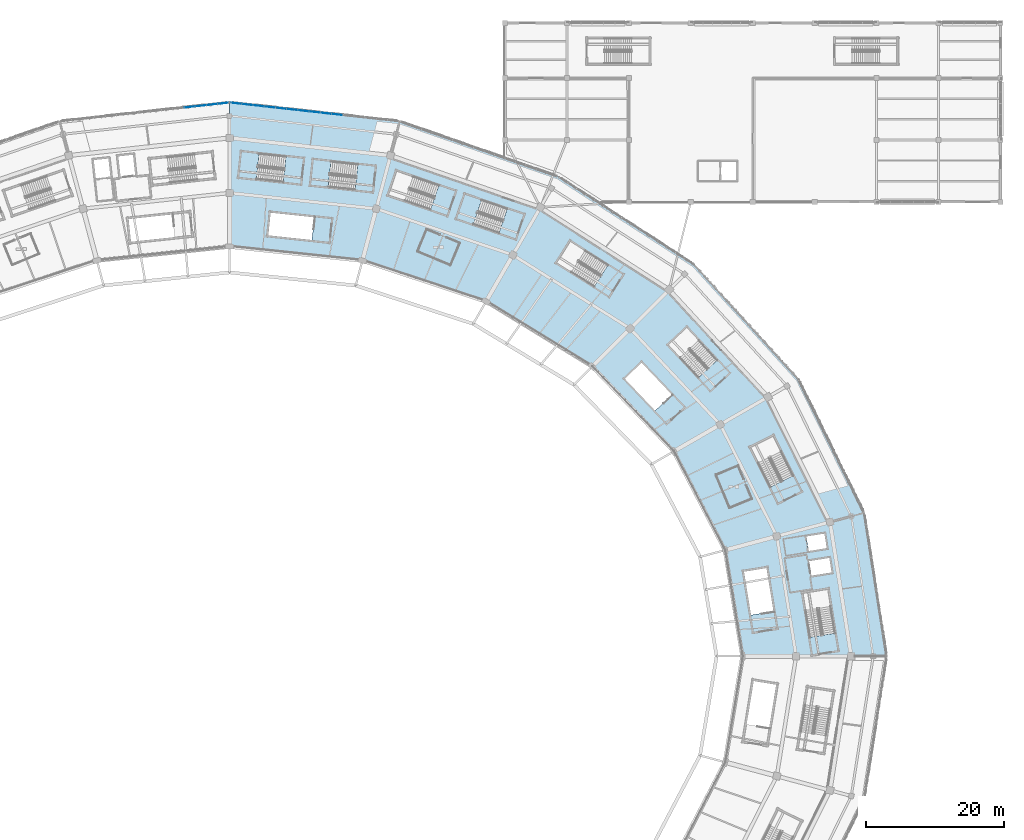
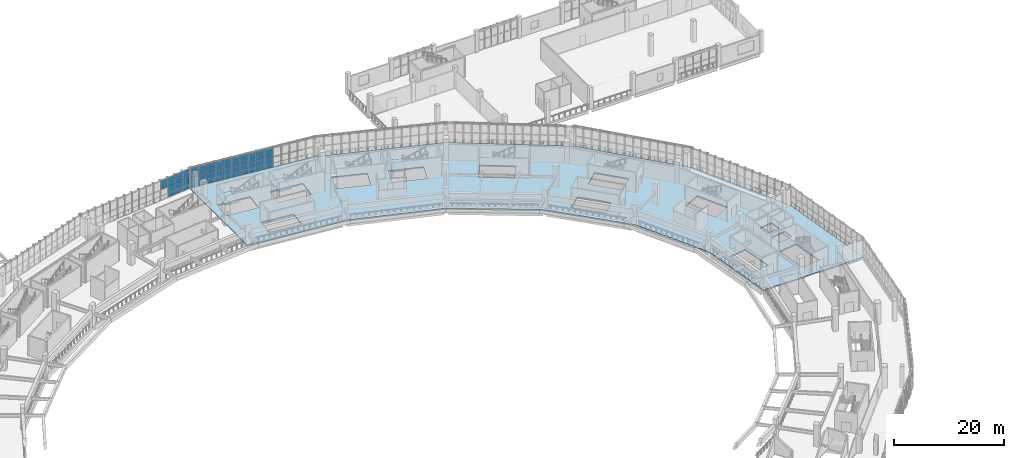
# One storey, part 93 of 179: 27 plates, 4 slabs, 5 elements without a shape of their own.
"""IFC4 building model written with IfcOpenShell, lengths in metres."""

import ifcopenshell
import ifcopenshell.guid

model = None  # the IFC model being written
_history = None  # IfcOwnerHistory: only IFC2X3 demands one
_inside = {}  # id of a spatial element -> (the spatial element, [elements in it])
_under = {}  # id of a project, library or spatial element -> (it, [spatial elements below it])
_declared = {}  # id of a project -> (the project, [libraries it declares])
_typed = {}  # id of a type object -> (the type object, [elements of that type])
_made_of = {}  # id of a material, layer set ... -> (it, [elements and type objects made of it])


def new_model(schema):
    """Start an empty IFC model of exactly this schema.

    Asked for "IFC4X3", IfcOpenShell would pick the latest addendum, in which some entities
    have other attributes; the version numbers below select the first issue.
    IFC2X3 requires an IfcOwnerHistory on every rooted entity: one is made here for all.
    """
    global model, _history
    if schema == "IFC4X3":
        model = ifcopenshell.file(schema_version=(4, 3, 0, 0))
    else:
        model = ifcopenshell.file(schema=schema)
    _inside.clear()
    _under.clear()
    _declared.clear()
    _typed.clear()
    _made_of.clear()
    _history = None
    if model.schema == "IFC2X3":
        org = make("IfcOrganization", Name="unknown")
        user = make(
            "IfcPersonAndOrganization",
            ThePerson=make("IfcPerson", FamilyName="unknown"),
            TheOrganization=org,
        )
        app = make(
            "IfcApplication",
            ApplicationDeveloper=org,
            Version="unknown",
            ApplicationFullName="unknown",
            ApplicationIdentifier="unknown",
        )
        _history = make(
            "IfcOwnerHistory",
            OwningUser=user,
            OwningApplication=app,
            ChangeAction="ADDED",
            CreationDate=0,
        )
    return model


def make(cls, **values):
    """One entity of the class cls with the attributes given. An attribute that is None is left unset."""
    return model.create_entity(
        cls, **{name: value for name, value in values.items() if value is not None}
    )


def rooted(cls, **values):
    """An entity with a GlobalId (a new one), such as an element, a storey or a relation."""
    return make(cls, GlobalId=ifcopenshell.guid.new(), OwnerHistory=_history, **values)


def si_unit(unit_type, name, prefix=None):
    """IfcSIUnit, for example si_unit("LENGTHUNIT", "METRE", prefix="MILLI")."""
    return make("IfcSIUnit", UnitType=unit_type, Prefix=prefix, Name=name)


def assignment(units):
    """IfcUnitAssignment: the units of a project."""
    return None if units is None else make("IfcUnitAssignment", Units=units)


def point(xyz):
    """IfcCartesianPoint."""
    return None if xyz is None else make("IfcCartesianPoint", Coordinates=xyz)


def direction(xyz):
    """IfcDirection."""
    return None if xyz is None else make("IfcDirection", DirectionRatios=xyz)


def frame(location, z_axis=None, x_axis=None):
    """IfcAxis2Placement3D, a coordinate frame: its origin and axes. An axis left out is left unset."""
    return make(
        "IfcAxis2Placement3D",
        Location=point(location),
        Axis=direction(z_axis),
        RefDirection=direction(x_axis),
    )


def frame_2d(location, x_axis=None):
    """IfcAxis2Placement2D, a coordinate frame in the plane: its origin and x axis."""
    return make(
        "IfcAxis2Placement2D", Location=point(location), RefDirection=direction(x_axis)
    )


def origin():
    """The frame at (0, 0, 0) with its axes left unset."""
    return frame((0.0, 0.0, 0.0))


def origin_2d():
    """The frame at (0, 0) in the plane with its x axis left unset."""
    return frame_2d((0.0, 0.0))


def place(relative_to, where):
    """IfcLocalPlacement: puts the frame where relative to a parent placement (None: the world)."""
    return make(
        "IfcLocalPlacement", PlacementRelTo=relative_to, RelativePlacement=where
    )


def context(
    kind, dimensions, precision=None, world=None, true_north=None, identifier=None
):
    """IfcGeometricRepresentationContext, for example the 3D "Model" context."""
    return make(
        "IfcGeometricRepresentationContext",
        ContextIdentifier=identifier,
        ContextType=kind,
        CoordinateSpaceDimension=dimensions,
        Precision=precision,
        WorldCoordinateSystem=world,
        TrueNorth=true_north,
    )


def subcontext(parent, identifier, kind, view, scale=None):
    """IfcGeometricRepresentationSubContext, for example "Body" below "Model"."""
    return make(
        "IfcGeometricRepresentationSubContext",
        ContextIdentifier=identifier,
        ContextType=kind,
        ParentContext=parent,
        TargetScale=scale,
        TargetView=view,
    )


def project(units=None, contexts=None):
    """IfcProject with its units and contexts."""
    return rooted(
        "IfcProject",
        Name="project",
        RepresentationContexts=contexts,
        UnitsInContext=assignment(units),
    )


def spatial(cls, under=None, at=None, **own):
    """A site, building, storey or space (cls), placed at a placement, below another one or the project."""
    s = rooted(cls, ObjectPlacement=at, **own)
    if under is not None:
        _under.setdefault(under.id(), (under, []))[1].append(s)
    return s


def polyline(points):
    """IfcPolyline through the points."""
    return make("IfcPolyline", Points=[point(p) for p in points])


def profile(cls, at=None, kind="AREA", **sizes):
    """A parametric profile (cls). Its sizes go by their IFC names, for example OverallWidth=200.0."""
    return make(cls, ProfileType=kind, Position=at, **sizes)


def rectangle(**sizes):
    """IfcRectangleProfileDef."""
    return profile("IfcRectangleProfileDef", **sizes)


def outline(outer, holes=None, kind="AREA"):
    """IfcArbitraryClosedProfileDef: a profile drawn as a closed curve; with holes, ...WithVoids."""
    if holes is None:
        return make("IfcArbitraryClosedProfileDef", ProfileType=kind, OuterCurve=outer)
    return make(
        "IfcArbitraryProfileDefWithVoids",
        ProfileType=kind,
        OuterCurve=outer,
        InnerCurves=holes,
    )


def extrude(swept, where, along, depth):
    """IfcExtrudedAreaSolid: the profile swept, set in the frame where, extruded along a direction by depth."""
    return make(
        "IfcExtrudedAreaSolid",
        SweptArea=swept,
        Position=where,
        ExtrudedDirection=direction(along),
        Depth=depth,
    )


def shape(context_of_items, identifier, shape_type, items):
    """IfcShapeRepresentation: the items that make up one representation, for example the "Body"."""
    return make(
        "IfcShapeRepresentation",
        ContextOfItems=context_of_items,
        RepresentationIdentifier=identifier,
        RepresentationType=shape_type,
        Items=items,
    )


def material(Name=None, Category=None):
    """IfcMaterial."""
    return make("IfcMaterial", Name=Name, Category=Category)


def layer(
    of_material, thickness, ventilated=None, Name=None, Category=None, Priority=None
):
    """IfcMaterialLayer: one layer of a wall or slab, of a material (None: an air gap)."""
    return make(
        "IfcMaterialLayer",
        Material=of_material,
        LayerThickness=thickness,
        IsVentilated=ventilated,
        Name=Name,
        Category=Category,
        Priority=Priority,
    )


def layer_set(layers, Name=None):
    """IfcMaterialLayerSet."""
    return make("IfcMaterialLayerSet", MaterialLayers=layers, LayerSetName=Name)


def made_of(thing, what):
    """Note that an element or type object is made of a material, layer set ...; save() writes the relation."""
    if what is not None:
        _made_of.setdefault(what.id(), (what, []))[1].append(thing)
    return thing


def type_object(cls, material=None, **own):
    """A type object (cls), such as IfcWallType, which elements share."""
    return made_of(rooted(cls, **own), material)


def element(
    cls,
    number,
    at=None,
    inside=None,
    cuts=None,
    type_object=None,
    material=None,
    context=None,
    identifier="Body",
    shape_type=None,
    held_by="IfcProductDefinitionShape",
    body=None,
    shapes=None,
    **own,
):
    """One element of the class cls, such as IfcWall. Its Tag is "e" and its number.

    at: its placement. inside: the storey or other place that contains it. cuts: it is an
    opening in that element (IfcRelVoidsElement). A single representation is given by context,
    identifier, shape_type and body (its items); several are given by shapes. held_by: the class
    of the entity that holds the representations. save() writes the other relations.
    """
    e = rooted(cls, Tag="e%d" % number, ObjectPlacement=at, **own)
    if body is not None:
        shapes = [shape(context, identifier, shape_type, body)]
    if shapes is not None:
        e.Representation = make(held_by, Representations=shapes)
    if inside is not None:
        _inside.setdefault(inside.id(), (inside, []))[1].append(e)
    if cuts is not None:
        rooted(
            "IfcRelVoidsElement", RelatingBuildingElement=cuts, RelatedOpeningElement=e
        )
    if type_object is not None:
        _typed.setdefault(type_object.id(), (type_object, []))[1].append(e)
    return made_of(e, material)


def aggregate(whole, parts):
    """IfcRelAggregates: a whole, such as a stair, and the parts it consists of."""
    return rooted("IfcRelAggregates", RelatingObject=whole, RelatedObjects=parts)


def save(model, path):
    """Write the relations noted so far, then the file.

    IfcRelAggregates (storeys below a building ...), IfcRelContainedInSpatialStructure (elements
    in a storey), IfcRelDefinesByType, IfcRelAssociatesMaterial and IfcRelDeclares: one each for
    every whole, place, type object, material and project.
    """
    for whole, parts in _under.values():
        aggregate(whole, parts)
    for where, things in _inside.values():
        rooted(
            "IfcRelContainedInSpatialStructure",
            RelatedElements=things,
            RelatingStructure=where,
        )
    for kind, things in _typed.values():
        rooted("IfcRelDefinesByType", RelatedObjects=things, RelatingType=kind)
    for what, things in _made_of.values():
        rooted("IfcRelAssociatesMaterial", RelatedObjects=things, RelatingMaterial=what)
    for by, libraries in _declared.values():
        rooted("IfcRelDeclares", RelatingContext=by, RelatedDefinitions=libraries)
    model.write(path)


model = new_model("IFC4")

# Units and contexts
model_context = context("Model", 3, precision=1e-05, world=origin(), true_north=direction((0.0, 1.0)))
body_context = subcontext(model_context, "Body", "Model", "MODEL_VIEW")
ifc_project = project(units=[si_unit("LENGTHUNIT", "METRE"), si_unit("AREAUNIT", "SQUARE_METRE"), si_unit("VOLUMEUNIT", "CUBIC_METRE"), si_unit("PLANEANGLEUNIT", "RADIAN"), si_unit("MASSUNIT", "GRAM", prefix="KILO")], contexts=[model_context])

# Site, building, storey
site_placement = place(None, origin())
site = spatial("IfcSite", under=ifc_project, at=site_placement, CompositionType="ELEMENT")
building_placement = place(site_placement, origin())
building = spatial("IfcBuilding", under=site, at=building_placement, Name="Zevraka Park Crest Stadium", CompositionType="ELEMENT")
storey_placement = place(building_placement, frame((0.0, 0.0, 10.199951171875)))
storey = spatial("IfcBuildingStorey", under=building, at=storey_placement, Name="L02", CompositionType="ELEMENT", Elevation=10.199951171875)

# Curtain wall, plates
ifc_material_1 = material(Name="Anodised architectural aluminium and laminated safety glass", Category="aluminium")
curtain_wall_type = type_object("IfcCurtainWallType", Name="CW06", PredefinedType="NOTDEFINED", material=ifc_material_1)
curtain_wall_1_placement = place(storey_placement, origin())
curtain_wall_1 = element("IfcCurtainWall", 1, at=curtain_wall_1_placement, inside=storey, type_object=curtain_wall_type, Name="Unitised Ring Curtain Wall CW06 L02-05", PredefinedType="NOTDEFINED")
ifc_material_2 = material(Name="Solar-control laminated double glazing", Category="glass")
ifc_layer_1 = layer(ifc_material_2, 0.028076171875)
ifc_layer_set_1 = layer_set([ifc_layer_1], Name="Solar-control laminated double glazing")
plate_type = type_object("IfcPlateType", Name="CP06", PredefinedType="CURTAIN_PANEL", material=ifc_layer_set_1)
plate_1_placement = place(storey_placement, frame((127.608154296875, 170.6875, 0.070068359375), z_axis=(0.0, 0.0, 1.0), x_axis=(-0.993899099743, 0.110293152687, 0.0)))
plate_1 = element("IfcPlate", 2, at=plate_1_placement, type_object=plate_type, Name="CW06 panel 6.1", PredefinedType="CURTAIN_PANEL", context=body_context, shape_type="SweptSolid", body=[
    extrude(rectangle(XDim=1.5693359375, YDim=0.028076171875, at=origin_2d()), origin(), (0.0, 0.0, 1.0), 2.294921875),
])
plate_2_placement = place(storey_placement, frame((127.608154296875, 170.6875, 2.43505859375), z_axis=(0.0, 0.0, 1.0), x_axis=(-0.993899099743, 0.110293152687, 0.0)))
plate_2 = element("IfcPlate", 3, at=plate_2_placement, type_object=plate_type, Name="CW06 panel 6.2", PredefinedType="CURTAIN_PANEL", context=body_context, shape_type="SweptSolid", body=[
    extrude(rectangle(XDim=1.5693359375, YDim=0.028076171875, at=origin_2d()), origin(), (0.0, 0.0, 1.0), 1.9951171875),
])
plate_3_placement = place(storey_placement, frame((125.978759765625, 170.8681640625, 0.070068359375), z_axis=(0.0, 0.0, 1.0), x_axis=(-0.993899099743, 0.110293152687, 0.0)))
plate_3 = element("IfcPlate", 4, at=plate_3_placement, type_object=plate_type, Name="CW06 panel 7.1", PredefinedType="CURTAIN_PANEL", context=body_context, shape_type="SweptSolid", body=[
    extrude(rectangle(XDim=1.5693359375, YDim=0.028076171875, at=origin_2d()), origin(), (0.0, 0.0, 1.0), 2.294921875),
])
plate_4_placement = place(storey_placement, frame((125.978759765625, 170.8681640625, 2.43505859375), z_axis=(0.0, 0.0, 1.0), x_axis=(-0.993899099743, 0.110293152687, 0.0)))
plate_4 = element("IfcPlate", 5, at=plate_4_placement, type_object=plate_type, Name="CW06 panel 7.2", PredefinedType="CURTAIN_PANEL", context=body_context, shape_type="SweptSolid", body=[
    extrude(rectangle(XDim=1.5693359375, YDim=0.028076171875, at=origin_2d()), origin(), (0.0, 0.0, 1.0), 1.9951171875),
])
plate_5_placement = place(storey_placement, frame((124.349609375, 171.049072265625, 0.070068359375), z_axis=(0.0, 0.0, 1.0), x_axis=(-0.993899099743, 0.110293152687, 0.0)))
plate_5 = element("IfcPlate", 6, at=plate_5_placement, type_object=plate_type, Name="CW06 panel 8.1", PredefinedType="CURTAIN_PANEL", context=body_context, shape_type="SweptSolid", body=[
    extrude(rectangle(XDim=1.5693359375, YDim=0.028076171875, at=origin_2d()), origin(), (0.0, 0.0, 1.0), 2.294921875),
])
plate_6_placement = place(storey_placement, frame((124.349609375, 171.049072265625, 2.43505859375), z_axis=(0.0, 0.0, 1.0), x_axis=(-0.993899099743, 0.110293152687, 0.0)))
plate_6 = element("IfcPlate", 7, at=plate_6_placement, type_object=plate_type, Name="CW06 panel 8.2", PredefinedType="CURTAIN_PANEL", context=body_context, shape_type="SweptSolid", body=[
    extrude(rectangle(XDim=1.5693359375, YDim=0.028076171875, at=origin_2d()), origin(), (0.0, 0.0, 1.0), 1.9951171875),
])
plate_7_placement = place(storey_placement, frame((122.72021484375, 171.229736328125, 0.070068359375), z_axis=(0.0, 0.0, 1.0), x_axis=(-0.993899099743, 0.110293152687, 0.0)))
plate_7 = element("IfcPlate", 8, at=plate_7_placement, type_object=plate_type, Name="CW06 panel 9.1", PredefinedType="CURTAIN_PANEL", context=body_context, shape_type="SweptSolid", body=[
    extrude(rectangle(XDim=1.5693359375, YDim=0.028076171875, at=origin_2d()), origin(), (0.0, 0.0, 1.0), 2.294921875),
])
plate_8_placement = place(storey_placement, frame((122.72021484375, 171.229736328125, 2.43505859375), z_axis=(0.0, 0.0, 1.0), x_axis=(-0.993899099743, 0.110293152687, 0.0)))
plate_8 = element("IfcPlate", 9, at=plate_8_placement, type_object=plate_type, Name="CW06 panel 9.2", PredefinedType="CURTAIN_PANEL", context=body_context, shape_type="SweptSolid", body=[
    extrude(rectangle(XDim=1.5693359375, YDim=0.028076171875, at=origin_2d()), origin(), (0.0, 0.0, 1.0), 1.9951171875),
])
plate_9_placement = place(storey_placement, frame((121.091064453125, 171.41064453125, 0.070068359375), z_axis=(0.0, 0.0, 1.0), x_axis=(-0.993899099743, 0.110293152687, 0.0)))
plate_9 = element("IfcPlate", 10, at=plate_9_placement, type_object=plate_type, Name="CW06 panel 10.1", PredefinedType="CURTAIN_PANEL", context=body_context, shape_type="SweptSolid", body=[
    extrude(rectangle(XDim=1.5693359375, YDim=0.028076171875, at=origin_2d()), origin(), (0.0, 0.0, 1.0), 2.294921875),
])
plate_10_placement = place(storey_placement, frame((121.091064453125, 171.41064453125, 2.43505859375), z_axis=(0.0, 0.0, 1.0), x_axis=(-0.993899099743, 0.110293152687, 0.0)))
plate_10 = element("IfcPlate", 11, at=plate_10_placement, type_object=plate_type, Name="CW06 panel 10.2", PredefinedType="CURTAIN_PANEL", context=body_context, shape_type="SweptSolid", body=[
    extrude(rectangle(XDim=1.5693359375, YDim=0.028076171875, at=origin_2d()), origin(), (0.0, 0.0, 1.0), 1.9951171875),
])
plate_11_placement = place(storey_placement, frame((119.461669921875, 171.59130859375, 0.070068359375), z_axis=(0.0, 0.0, 1.0), x_axis=(-0.993899099743, 0.110293152687, 0.0)))
plate_11 = element("IfcPlate", 12, at=plate_11_placement, type_object=plate_type, Name="CW06 panel 11.1", PredefinedType="CURTAIN_PANEL", context=body_context, shape_type="SweptSolid", body=[
    extrude(rectangle(XDim=1.5693359375, YDim=0.028076171875, at=origin_2d()), origin(), (0.0, 0.0, 1.0), 2.294921875),
])
plate_12_placement = place(storey_placement, frame((119.461669921875, 171.59130859375, 2.43505859375), z_axis=(0.0, 0.0, 1.0), x_axis=(-0.993899099743, 0.110293152687, 0.0)))
plate_12 = element("IfcPlate", 13, at=plate_12_placement, type_object=plate_type, Name="CW06 panel 11.2", PredefinedType="CURTAIN_PANEL", context=body_context, shape_type="SweptSolid", body=[
    extrude(rectangle(XDim=1.5693359375, YDim=0.028076171875, at=origin_2d()), origin(), (0.0, 0.0, 1.0), 1.9951171875),
])
plate_13_placement = place(storey_placement, frame((117.83251953125, 171.772216796875, 0.070068359375), z_axis=(0.0, 0.0, 1.0), x_axis=(-0.993899099743, 0.110293152687, 0.0)))
plate_13 = element("IfcPlate", 14, at=plate_13_placement, type_object=plate_type, Name="CW06 panel 12.1", PredefinedType="CURTAIN_PANEL", context=body_context, shape_type="SweptSolid", body=[
    extrude(rectangle(XDim=1.5693359375, YDim=0.028076171875, at=origin_2d()), origin(), (0.0, 0.0, 1.0), 2.294921875),
])
plate_14_placement = place(storey_placement, frame((117.83251953125, 171.772216796875, 2.43505859375), z_axis=(0.0, 0.0, 1.0), x_axis=(-0.993899099743, 0.110293152687, 0.0)))
plate_14 = element("IfcPlate", 15, at=plate_14_placement, type_object=plate_type, Name="CW06 panel 12.2", PredefinedType="CURTAIN_PANEL", context=body_context, shape_type="SweptSolid", body=[
    extrude(rectangle(XDim=1.5693359375, YDim=0.028076171875, at=origin_2d()), origin(), (0.0, 0.0, 1.0), 1.9951171875),
])
plate_15_placement = place(storey_placement, frame((116.203125, 171.952880859375, 0.070068359375), z_axis=(0.0, 0.0, 1.0), x_axis=(-0.993899099743, 0.110293152687, 0.0)))
plate_15 = element("IfcPlate", 16, at=plate_15_placement, type_object=plate_type, Name="CW06 panel 13.1", PredefinedType="CURTAIN_PANEL", context=body_context, shape_type="SweptSolid", body=[
    extrude(rectangle(XDim=1.5693359375, YDim=0.028076171875, at=origin_2d()), origin(), (0.0, 0.0, 1.0), 2.294921875),
])
plate_16_placement = place(storey_placement, frame((116.203125, 171.952880859375, 2.43505859375), z_axis=(0.0, 0.0, 1.0), x_axis=(-0.993899099743, 0.110293152687, 0.0)))
plate_16 = element("IfcPlate", 17, at=plate_16_placement, type_object=plate_type, Name="CW06 panel 13.2", PredefinedType="CURTAIN_PANEL", context=body_context, shape_type="SweptSolid", body=[
    extrude(rectangle(XDim=1.5693359375, YDim=0.028076171875, at=origin_2d()), origin(), (0.0, 0.0, 1.0), 1.9951171875),
])
plate_17_placement = place(storey_placement, frame((114.573974609375, 172.1337890625, 0.070068359375), z_axis=(0.0, 0.0, 1.0), x_axis=(-0.993899099743, 0.110293152687, 0.0)))
plate_17 = element("IfcPlate", 18, at=plate_17_placement, type_object=plate_type, Name="CW06 panel 14.1", PredefinedType="CURTAIN_PANEL", context=body_context, shape_type="SweptSolid", body=[
    extrude(rectangle(XDim=1.5693359375, YDim=0.028076171875, at=origin_2d()), origin(), (0.0, 0.0, 1.0), 2.294921875),
])
plate_18_placement = place(storey_placement, frame((114.573974609375, 172.1337890625, 2.43505859375), z_axis=(0.0, 0.0, 1.0), x_axis=(-0.993899099743, 0.110293152687, 0.0)))
plate_18 = element("IfcPlate", 19, at=plate_18_placement, type_object=plate_type, Name="CW06 panel 14.2", PredefinedType="CURTAIN_PANEL", context=body_context, shape_type="SweptSolid", body=[
    extrude(rectangle(XDim=1.5693359375, YDim=0.028076171875, at=origin_2d()), origin(), (0.0, 0.0, 1.0), 1.9951171875),
])
plate_19_placement = place(storey_placement, frame((112.9619140625, 172.312744140625, 0.070068359375), z_axis=(0.0, 0.0, 1.0), x_axis=(-0.993899099743, 0.110293152687, 0.0)))
plate_19 = element("IfcPlate", 20, at=plate_19_placement, type_object=plate_type, Name="CW06 panel 15.1", PredefinedType="CURTAIN_PANEL", context=body_context, shape_type="SweptSolid", body=[
    extrude(rectangle(XDim=1.5341796875, YDim=0.028076171875, at=origin_2d()), origin(), (0.0, 0.0, 1.0), 2.294921875),
])
plate_20_placement = place(storey_placement, frame((112.9619140625, 172.312744140625, 2.43505859375), z_axis=(0.0, 0.0, 1.0), x_axis=(-0.993899099743, 0.110293152687, 0.0)))
plate_20 = element("IfcPlate", 21, at=plate_20_placement, type_object=plate_type, Name="CW06 panel 15.2", PredefinedType="CURTAIN_PANEL", context=body_context, shape_type="SweptSolid", body=[
    extrude(rectangle(XDim=1.5341796875, YDim=0.028076171875, at=origin_2d()), origin(), (0.0, 0.0, 1.0), 1.9951171875),
])
aggregate(curtain_wall_1, [plate_1, plate_2, plate_3, plate_4, plate_5, plate_6, plate_7, plate_8, plate_9, plate_10, plate_11, plate_12, plate_13, plate_14, plate_15, plate_16, plate_17, plate_18, plate_19, plate_20])

curtain_wall_2_placement = place(storey_placement, origin())
curtain_wall_2 = element("IfcCurtainWall", 22, at=curtain_wall_2_placement, inside=storey, type_object=curtain_wall_type, Name="Unitised Ring Curtain Wall CW06 L02-06", PredefinedType="NOTDEFINED")
plate_21_placement = place(storey_placement, frame((111.0380859375, 172.312744140625, 0.070068359375), z_axis=(0.0, 0.0, 1.0), x_axis=(-0.993899099743, -0.110293152687, 0.0)))
plate_21 = element("IfcPlate", 23, at=plate_21_placement, type_object=plate_type, Name="CW06 panel 1.1", PredefinedType="CURTAIN_PANEL", context=body_context, shape_type="SweptSolid", body=[
    extrude(rectangle(XDim=1.5341796875, YDim=0.028076171875, at=origin_2d()), origin(), (0.0, 0.0, 1.0), 2.294921875),
])
plate_22_placement = place(storey_placement, frame((111.0380859375, 172.312744140625, 2.43505859375), z_axis=(0.0, 0.0, 1.0), x_axis=(-0.993899099743, -0.110293152687, 0.0)))
plate_22 = element("IfcPlate", 24, at=plate_22_placement, type_object=plate_type, Name="CW06 panel 1.2", PredefinedType="CURTAIN_PANEL", context=body_context, shape_type="SweptSolid", body=[
    extrude(rectangle(XDim=1.5341796875, YDim=0.028076171875, at=origin_2d()), origin(), (0.0, 0.0, 1.0), 1.9951171875),
])
plate_23_placement = place(storey_placement, frame((109.426025390625, 172.1337890625, 0.070068359375), z_axis=(0.0, 0.0, 1.0), x_axis=(-0.993899099743, -0.110293152687, 0.0)))
plate_23 = element("IfcPlate", 25, at=plate_23_placement, type_object=plate_type, Name="CW06 panel 2.1", PredefinedType="CURTAIN_PANEL", context=body_context, shape_type="SweptSolid", body=[
    extrude(rectangle(XDim=1.5693359375, YDim=0.028076171875, at=origin_2d()), origin(), (0.0, 0.0, 1.0), 2.294921875),
])
plate_24_placement = place(storey_placement, frame((109.426025390625, 172.1337890625, 2.43505859375), z_axis=(0.0, 0.0, 1.0), x_axis=(-0.993899099743, -0.110293152687, 0.0)))
plate_24 = element("IfcPlate", 26, at=plate_24_placement, type_object=plate_type, Name="CW06 panel 2.2", PredefinedType="CURTAIN_PANEL", context=body_context, shape_type="SweptSolid", body=[
    extrude(rectangle(XDim=1.5693359375, YDim=0.028076171875, at=origin_2d()), origin(), (0.0, 0.0, 1.0), 1.9951171875),
])
plate_25_placement = place(storey_placement, frame((107.796875, 171.952880859375, 0.070068359375), z_axis=(0.0, 0.0, 1.0), x_axis=(-0.993899099743, -0.110293152687, 0.0)))
plate_25 = element("IfcPlate", 27, at=plate_25_placement, type_object=plate_type, Name="CW06 panel 3.1", PredefinedType="CURTAIN_PANEL", context=body_context, shape_type="SweptSolid", body=[
    extrude(rectangle(XDim=1.5693359375, YDim=0.028076171875, at=origin_2d()), origin(), (0.0, 0.0, 1.0), 2.294921875),
])
plate_26_placement = place(storey_placement, frame((107.796875, 171.952880859375, 2.43505859375), z_axis=(0.0, 0.0, 1.0), x_axis=(-0.993899099743, -0.110293152687, 0.0)))
plate_26 = element("IfcPlate", 28, at=plate_26_placement, type_object=plate_type, Name="CW06 panel 3.2", PredefinedType="CURTAIN_PANEL", context=body_context, shape_type="SweptSolid", body=[
    extrude(rectangle(XDim=1.5693359375, YDim=0.028076171875, at=origin_2d()), origin(), (0.0, 0.0, 1.0), 1.9951171875),
])
plate_27_placement = place(storey_placement, frame((106.16748046875, 171.772216796875, 2.43505859375), z_axis=(0.0, 0.0, 1.0), x_axis=(-0.993899099743, -0.110293152687, 0.0)))
plate_27 = element("IfcPlate", 29, at=plate_27_placement, type_object=plate_type, Name="CW06 panel 4.2", PredefinedType="CURTAIN_PANEL", context=body_context, shape_type="SweptSolid", body=[
    extrude(rectangle(XDim=1.5693359375, YDim=0.028076171875, at=origin_2d()), origin(), (0.0, 0.0, 1.0), 1.9951171875),
])
aggregate(curtain_wall_2, [plate_21, plate_22, plate_23, plate_24, plate_25, plate_26, plate_27])

# Slab
ifc_material_3 = material(Name="Concrete C35/45", Category="concrete")
ifc_layer_2 = layer(ifc_material_3, 0.280029296875)
ifc_layer_set_2 = layer_set([ifc_layer_2], Name="Concrete C35/45")
slab_type_1 = type_object("IfcSlabType", Name="FS02", PredefinedType="FLOOR", material=ifc_layer_set_2)
slab_1_placement = place(storey_placement, frame((0.0, 0.0, -0.280029296875)))
element("IfcSlab", 30, at=slab_1_placement, inside=storey, type_object=slab_type_1, Name="Bowl Concourse Ring Slab L02 Q1-NE-1", PredefinedType="FLOOR", context=body_context, shape_type="SweptSolid", body=[
    extrude(outline(polyline([(183.9609375, 107.39990234375), (176.51904296875, 121.75), (164.678955078125, 134.072998046875), (149.25, 143.529052734375), (131.281982421875, 149.472900390625), (112.0, 151.5), (112.0, 172.5), (136.717041015625, 169.757080078125), (159.75, 161.715087890625), (179.529052734375, 148.922119140625), (194.705078125, 132.25), (204.24609375, 112.8349609375), (207.5, 92.0), (186.5, 92.0), (183.9609375, 107.39990234375)]), holes=[polyline([(169.33203125, 132.321044921875), (173.784912109375, 127.626953125), (176.294921875, 130.009033203125), (171.841064453125, 134.701904296875), (169.33203125, 132.321044921875)]), polyline([(161.4541015625, 152.3291015625), (159.43994140625, 149.154052734375), (164.945068359375, 145.660888671875), (166.9599609375, 148.8359375), (161.4541015625, 152.3291015625)]), polyline([(117.87890625, 156.513916015625), (117.512939453125, 153.073974609375), (123.947021484375, 152.388916015625), (124.31298828125, 155.830078125), (117.87890625, 156.513916015625)]), polyline([(144.93408203125, 155.571044921875), (151.10205078125, 153.4580078125), (152.320068359375, 157.01611328125), (146.152099609375, 159.1279296875), (144.93408203125, 155.571044921875)]), polyline([(136.218017578125, 162.529052734375), (135.0, 158.971923828125), (141.16796875, 156.85888671875), (142.385986328125, 160.4169921875), (136.218017578125, 162.529052734375)]), polyline([(124.131103515625, 164.169921875), (123.72412109375, 160.431884765625), (130.2060546875, 159.72705078125), (130.613037109375, 163.465087890625), (124.131103515625, 164.169921875)]), polyline([(113.285888671875, 161.568115234375), (119.76806640625, 160.863037109375), (120.175048828125, 164.60107421875), (113.693115234375, 165.305908203125), (113.285888671875, 161.568115234375)]), polyline([(198.945068359375, 101.782958984375), (195.23193359375, 101.19189453125), (196.257080078125, 94.7529296875), (199.969970703125, 95.344970703125), (198.945068359375, 101.782958984375)]), polyline([(190.052978515625, 104.89990234375), (186.637939453125, 104.343994140625), (187.677001953125, 97.9580078125), (191.092041015625, 98.513916015625), (190.052978515625, 104.89990234375)]), polyline([(199.14697265625, 106.31103515625), (196.18408203125, 105.840087890625), (196.529052734375, 103.6669921875), (199.491943359375, 104.137939453125), (199.14697265625, 106.31103515625)]), polyline([(198.43408203125, 109.843017578125), (195.76708984375, 109.419921875), (196.112060546875, 107.2470703125), (198.779052734375, 107.669921875), (198.43408203125, 109.843017578125)]), polyline([(190.97705078125, 124.052978515625), (187.615966796875, 122.368896484375), (190.535888671875, 116.5400390625), (193.89794921875, 118.22412109375), (190.97705078125, 124.052978515625)]), polyline([(178.4169921875, 139.80908203125), (175.660888671875, 137.251953125), (180.095947265625, 132.472900390625), (182.85205078125, 135.030029296875), (178.4169921875, 139.80908203125)])]), origin(), (0.0, 0.0, 1.0), 0.280029296875),
])

# Stair, slab
ifc_material_4 = material(Name="Concrete C35/45", Category="concrete")
stair_type = type_object("IfcStairType", Name="STA2", PredefinedType="HALF_TURN_STAIR", material=ifc_material_4)
stair_1_placement = place(storey_placement, origin())
stair_1 = element("IfcStair", 31, at=stair_1_placement, inside=storey, type_object=stair_type, Name="L02 Protected Concourse Exit Stair ST05", PredefinedType="HALF_TURN_STAIR")
ifc_material_5 = material(Name="Concrete C35/45", Category="concrete")
ifc_layer_3 = layer(ifc_material_5, 0.199951171875)
ifc_layer_set_3 = layer_set([ifc_layer_3], Name="Concrete C35/45")
slab_type_2 = type_object("IfcSlabType", Name="LS01", PredefinedType="LANDING", material=ifc_layer_set_3)
slab_2_placement = place(storey_placement, frame((0.0, 0.0, 2.199951171875)))
slab_2 = element("IfcSlab", 32, at=slab_2_placement, type_object=slab_type_2, Name="ST05 landing 1", PredefinedType="LANDING", context=body_context, shape_type="SweptSolid", body=[
    extrude(outline(polyline([(148.621337890625, 158.282470703125), (146.152099609375, 159.1279296875), (144.93408203125, 155.57080078125), (147.403076171875, 154.72509765625), (148.621337890625, 158.282470703125)])), origin(), (0.0, 0.0, 1.0), 0.2001953125),
])
aggregate(stair_1, [slab_2])

stair_2_placement = place(storey_placement, origin())
stair_2 = element("IfcStair", 33, at=stair_2_placement, inside=storey, type_object=stair_type, Name="L02 Protected Concourse Exit Stair ST06", PredefinedType="HALF_TURN_STAIR")
slab_3_placement = place(storey_placement, frame((0.0, 0.0, 2.199951171875)))
slab_3 = element("IfcSlab", 34, at=slab_3_placement, type_object=slab_type_2, Name="ST06 landing 1", PredefinedType="LANDING", context=body_context, shape_type="SweptSolid", body=[
    extrude(outline(polyline([(126.725830078125, 163.887939453125), (124.131103515625, 164.17041015625), (123.724365234375, 160.432373046875), (126.31884765625, 160.14990234375), (126.725830078125, 163.887939453125)])), origin(), (0.0, 0.0, 1.0), 0.2001953125),
])
aggregate(stair_2, [slab_3])

stair_3_placement = place(storey_placement, origin())
stair_3 = element("IfcStair", 35, at=stair_3_placement, inside=storey, type_object=stair_type, Name="L02 Protected Paired Concourse Exit Stair ST26", PredefinedType="HALF_TURN_STAIR")
slab_4_placement = place(storey_placement, frame((0.0, 0.0, 2.199951171875)))
slab_4 = element("IfcSlab", 36, at=slab_4_placement, type_object=slab_type_2, Name="ST26 landing 1", PredefinedType="LANDING", context=body_context, shape_type="SweptSolid", body=[
    extrude(outline(polyline([(116.287841796875, 165.02392578125), (113.693115234375, 165.306396484375), (113.286376953125, 161.568359375), (115.880859375, 161.285888671875), (116.287841796875, 165.02392578125)])), origin(), (0.0, 0.0, 1.0), 0.2001953125),
])
aggregate(stair_3, [slab_4])

save(model, "model.ifc")
